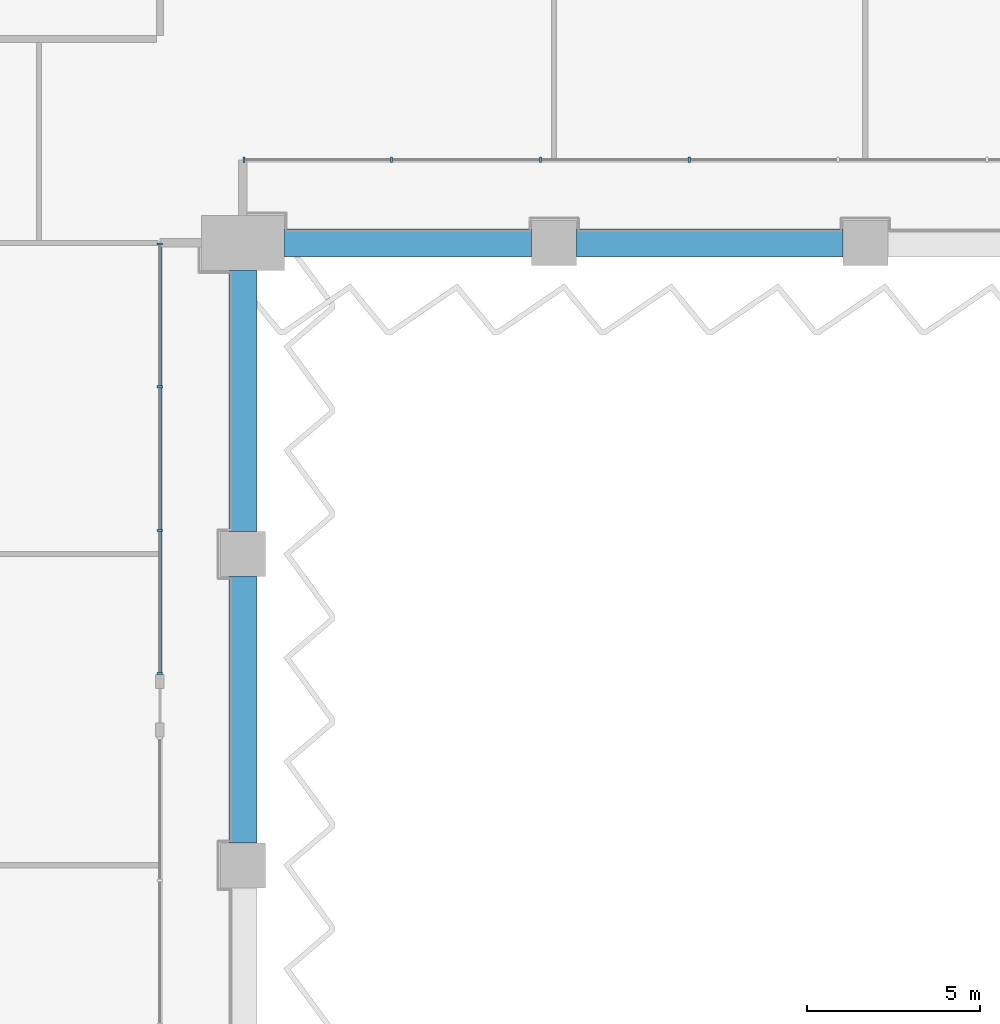
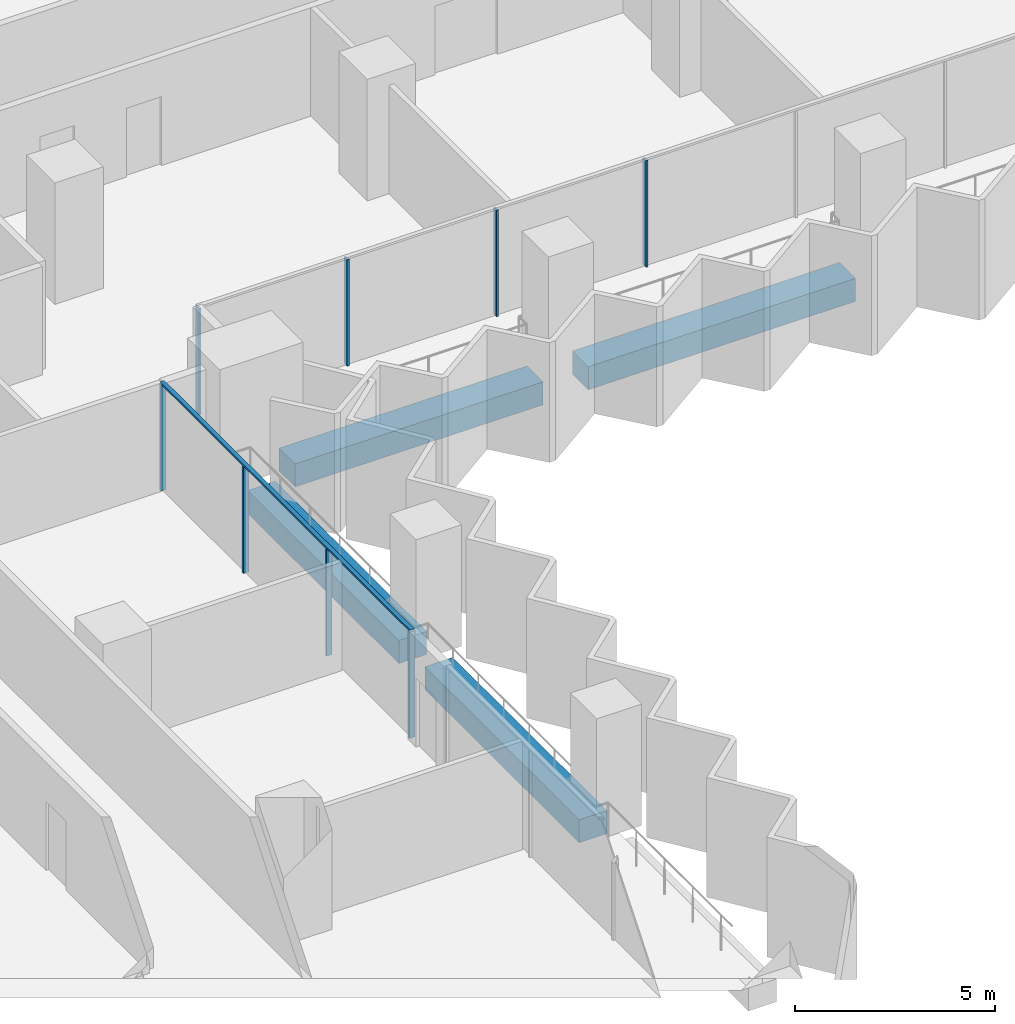
# One storey, part 4 of 28: 9 members, 4 beams, 2 elements without a shape of their own.
"""IFC4 building model written with IfcOpenShell, lengths in metres."""

from ifc_helpers import new_model, si_unit, direction, frame, origin, origin_2d, place, context, subcontext, project, spatial, rectangle, extrude, material, material_profile, profile_set, type_object, element, aggregate, save


model = new_model("IFC4")

# Units and contexts
model_context = context("Model", 3, precision=1e-05, world=origin(), true_north=direction((0.0, 1.0)))
body_context = subcontext(model_context, "Body", "Model", "MODEL_VIEW")
ifc_project = project(units=[si_unit("LENGTHUNIT", "METRE"), si_unit("AREAUNIT", "SQUARE_METRE"), si_unit("VOLUMEUNIT", "CUBIC_METRE"), si_unit("PLANEANGLEUNIT", "RADIAN"), si_unit("MASSUNIT", "GRAM", prefix="KILO")], contexts=[model_context])

# Site, building, storey
site_placement = place(None, origin())
site = spatial("IfcSite", under=ifc_project, at=site_placement, CompositionType="ELEMENT")
building_placement = place(site_placement, origin())
building = spatial("IfcBuilding", under=site, at=building_placement, Name="Hunhe Ridgeline Campus", CompositionType="ELEMENT")
storey_placement = place(building_placement, frame((0.0, 0.0, 58.0)))
storey = spatial("IfcBuildingStorey", under=building, at=storey_placement, Name="L13", CompositionType="ELEMENT", Elevation=58.0)

# Curtain wall, members
ifc_material_1 = material(Name="Aluminium 6063", Category="aluminium")
curtain_wall_type = type_object("IfcCurtainWallType", Name="Curtain wall CW-1", PredefinedType="NOTDEFINED", material=ifc_material_1)
curtain_wall_1_placement = place(storey_placement, origin())
curtain_wall_1 = element("IfcCurtainWall", 1, at=curtain_wall_1_placement, inside=storey, type_object=curtain_wall_type, Name="Curtain wall 12", PredefinedType="NOTDEFINED")
ifc_material_profile_1 = material_profile(ifc_material_1, rectangle(XDim=0.159912109375, YDim=0.06005859375, at=origin_2d()))
ifc_profile_set_1 = profile_set([ifc_material_profile_1], Name="Aluminium 6063")
member_type_1 = type_object("IfcMemberType", Name="CW-1 aluminium mullion", PredefinedType="MULLION", material=ifc_profile_set_1)
member_1_placement = place(storey_placement, frame((42.59912109375, 41.54833984375, 0.0), z_axis=(0.0, 0.0, 1.0), x_axis=(-1.0, 1.60239e-07, 0.0)))
member_1 = element("IfcMember", 2, at=member_1_placement, type_object=member_type_1, Name="CW-1 mullion 1", PredefinedType="MULLION", context=body_context, shape_type="SweptSolid", body=[
    extrude(rectangle(XDim=0.159912109375, YDim=0.06005859375, at=origin_2d()), origin(), (0.0, 0.0, 1.0), 3.239990234375),
])
member_2_placement = place(storey_placement, frame((42.59912109375, 45.678955078125, 0.0), z_axis=(0.0, 0.0, 1.0), x_axis=(-1.0, 1.60239e-07, 0.0)))
member_2 = element("IfcMember", 3, at=member_2_placement, type_object=member_type_1, Name="CW-1 mullion 2", PredefinedType="MULLION", context=body_context, shape_type="SweptSolid", body=[
    extrude(rectangle(XDim=0.159912109375, YDim=0.06005859375, at=origin_2d()), origin(), (0.0, 0.0, 1.0), 3.239990234375),
])
member_3_placement = place(storey_placement, frame((42.59912109375, 49.839599609375, 0.0), z_axis=(0.0, 0.0, 1.0), x_axis=(-1.0, 1.60239e-07, 0.0)))
member_3 = element("IfcMember", 4, at=member_3_placement, type_object=member_type_1, Name="CW-1 mullion 3", PredefinedType="MULLION", context=body_context, shape_type="SweptSolid", body=[
    extrude(rectangle(XDim=0.159912109375, YDim=0.06005859375, at=origin_2d()), origin(), (0.0, 0.0, 1.0), 3.239990234375),
])
member_4_placement = place(storey_placement, frame((42.59912109375, 53.97021484375, 0.0), z_axis=(0.0, 0.0, 1.0), x_axis=(-1.0, 1.60239e-07, 0.0)))
member_4 = element("IfcMember", 5, at=member_4_placement, type_object=member_type_1, Name="CW-1 mullion 4", PredefinedType="MULLION", context=body_context, shape_type="SweptSolid", body=[
    extrude(rectangle(XDim=0.159912109375, YDim=0.06005859375, at=origin_2d()), origin(), (0.0, 0.0, 1.0), 3.239990234375),
])

curtain_wall_2_placement = place(storey_placement, origin())
curtain_wall_2 = element("IfcCurtainWall", 6, at=curtain_wall_2_placement, inside=storey, type_object=curtain_wall_type, Name="Curtain wall 13", PredefinedType="NOTDEFINED")
member_5_placement = place(storey_placement, frame((45.029541015625, 56.40087890625, 0.0), z_axis=(0.0, 0.0, 1.0), x_axis=(-3.602063e-06, 0.999999999994, 0.0)))
member_5 = element("IfcMember", 7, at=member_5_placement, type_object=member_type_1, Name="CW-1 mullion 1", PredefinedType="MULLION", context=body_context, shape_type="SweptSolid", body=[
    extrude(rectangle(XDim=0.159912109375, YDim=0.06005859375, at=origin_2d()), origin(), (0.0, 0.0, 1.0), 3.239990234375),
])
member_6_placement = place(storey_placement, frame((49.302490234375, 56.40087890625, 0.0), z_axis=(0.0, 0.0, 1.0), x_axis=(-3.602063e-06, 0.999999999994, 0.0)))
member_6 = element("IfcMember", 8, at=member_6_placement, type_object=member_type_1, Name="CW-1 mullion 2", PredefinedType="MULLION", context=body_context, shape_type="SweptSolid", body=[
    extrude(rectangle(XDim=0.159912109375, YDim=0.06005859375, at=origin_2d()), origin(), (0.0, 0.0, 1.0), 3.239990234375),
])
member_7_placement = place(storey_placement, frame((53.605712890625, 56.40087890625, 0.0), z_axis=(0.0, 0.0, 1.0), x_axis=(-3.602063e-06, 0.999999999994, 0.0)))
member_7 = element("IfcMember", 9, at=member_7_placement, type_object=member_type_1, Name="CW-1 mullion 3", PredefinedType="MULLION", context=body_context, shape_type="SweptSolid", body=[
    extrude(rectangle(XDim=0.159912109375, YDim=0.06005859375, at=origin_2d()), origin(), (0.0, 0.0, 1.0), 3.239990234375),
])
member_8_placement = place(storey_placement, frame((57.90869140625, 56.40087890625, 0.0), z_axis=(0.0, 0.0, 1.0), x_axis=(-3.602063e-06, 0.999999999994, 0.0)))
member_8 = element("IfcMember", 10, at=member_8_placement, type_object=member_type_1, Name="CW-1 mullion 4", PredefinedType="MULLION", context=body_context, shape_type="SweptSolid", body=[
    extrude(rectangle(XDim=0.159912109375, YDim=0.06005859375, at=origin_2d()), origin(), (0.0, 0.0, 1.0), 3.239990234375),
])
aggregate(curtain_wall_2, [member_5, member_6, member_7, member_8])

# Member
ifc_material_profile_2 = material_profile(ifc_material_1, rectangle(XDim=0.1201171875, YDim=0.06005859375, at=origin_2d()))
ifc_profile_set_2 = profile_set([ifc_material_profile_2], Name="Aluminium 6063")
member_type_2 = type_object("IfcMemberType", Name="CW-1 aluminium transom", PredefinedType="USERDEFINED", material=ifc_profile_set_2)
member_9_placement = place(storey_placement, frame((42.59912109375, 41.518310546875, 3.27001953125), z_axis=(0.0, 1.0, 0.0), x_axis=(-1.0, 0.0, 0.0)))
member_9 = element("IfcMember", 11, at=member_9_placement, type_object=member_type_2, Name="CW-1 transom 1", ObjectType="TRANSOM", PredefinedType="USERDEFINED", context=body_context, shape_type="SweptSolid", body=[
    extrude(rectangle(XDim=0.1201171875, YDim=0.06005859375, at=origin_2d()), origin(), (0.0, 0.0, 1.0), 12.481689453125),
])

aggregate(curtain_wall_1, [member_9, member_1, member_2, member_3, member_4])

# Beams
ifc_material_2 = material(Name="Concrete C60", Category="concrete")
ifc_material_profile_3 = material_profile(ifc_material_2, rectangle(XDim=0.800048828125, YDim=0.699951171875, at=origin_2d()))
ifc_profile_set_3 = profile_set([ifc_material_profile_3], Name="Concrete C60")
beam_type = type_object("IfcBeamType", Name="RC spandrel beam 800x700 Concrete C60", PredefinedType="SPANDREL", material=ifc_profile_set_3)
beam_1_placement = place(storey_placement, frame((45.0, 36.64990234375, -0.60009765625), z_axis=(0.0, 1.0, 0.0), x_axis=(-1.0, 0.0, 0.0)))
element("IfcBeam", 12, at=beam_1_placement, inside=storey, type_object=beam_type, Name="Spandrel beam B1-10 L13", PredefinedType="SPANDREL", context=body_context, shape_type="SweptSolid", body=[
    extrude(rectangle(XDim=0.800048828125, YDim=0.699951171875, at=origin_2d()), origin(), (0.0, 0.0, 1.0), 7.7001953125),
])
beam_2_placement = place(storey_placement, frame((45.0, 45.64990234375, -0.60009765625), z_axis=(0.0, 1.0, 0.0), x_axis=(-1.0, 0.0, 0.0)))
element("IfcBeam", 13, at=beam_2_placement, inside=storey, type_object=beam_type, Name="Spandrel beam B1-11 L13", PredefinedType="SPANDREL", context=body_context, shape_type="SweptSolid", body=[
    extrude(rectangle(XDim=0.800048828125, YDim=0.699951171875, at=origin_2d()), origin(), (0.0, 0.0, 1.0), 7.550048828125),
])
beam_3_placement = place(storey_placement, frame((46.199951171875, 54.0, -0.60009765625), z_axis=(1.0, 0.0, 0.0), x_axis=(0.0, 1.0, 0.0)))
element("IfcBeam", 14, at=beam_3_placement, inside=storey, type_object=beam_type, Name="Spandrel beam B1-12 L13", PredefinedType="SPANDREL", context=body_context, shape_type="SweptSolid", body=[
    extrude(rectangle(XDim=0.800048828125, YDim=0.699951171875, at=origin_2d()), origin(), (0.0, 0.0, 1.0), 7.150146484375),
])
beam_4_placement = place(storey_placement, frame((54.64990234375, 54.0, -0.60009765625), z_axis=(1.0, 0.0, 0.0), x_axis=(0.0, 1.0, 0.0)))
element("IfcBeam", 15, at=beam_4_placement, inside=storey, type_object=beam_type, Name="Spandrel beam B1-13 L13", PredefinedType="SPANDREL", context=body_context, shape_type="SweptSolid", body=[
    extrude(rectangle(XDim=0.800048828125, YDim=0.699951171875, at=origin_2d()), origin(), (0.0, 0.0, 1.0), 7.7001953125),
])

save(model, "model.ifc")
